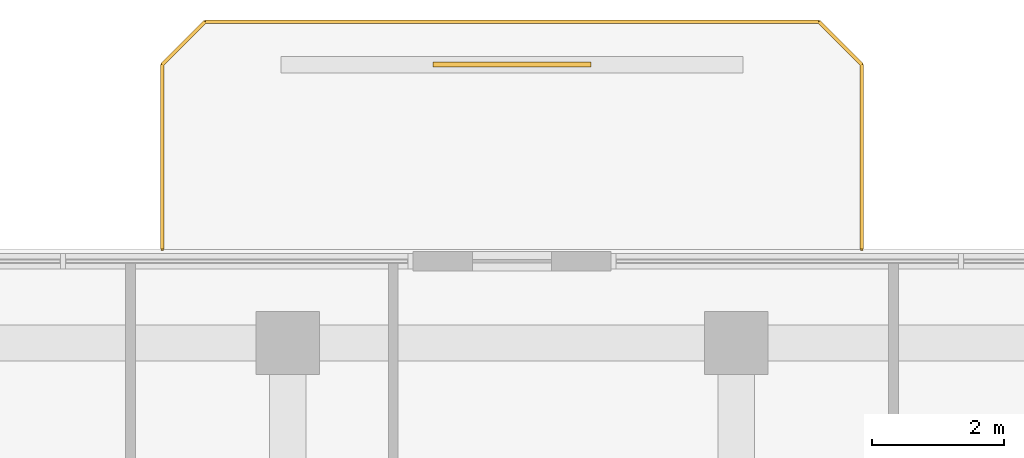
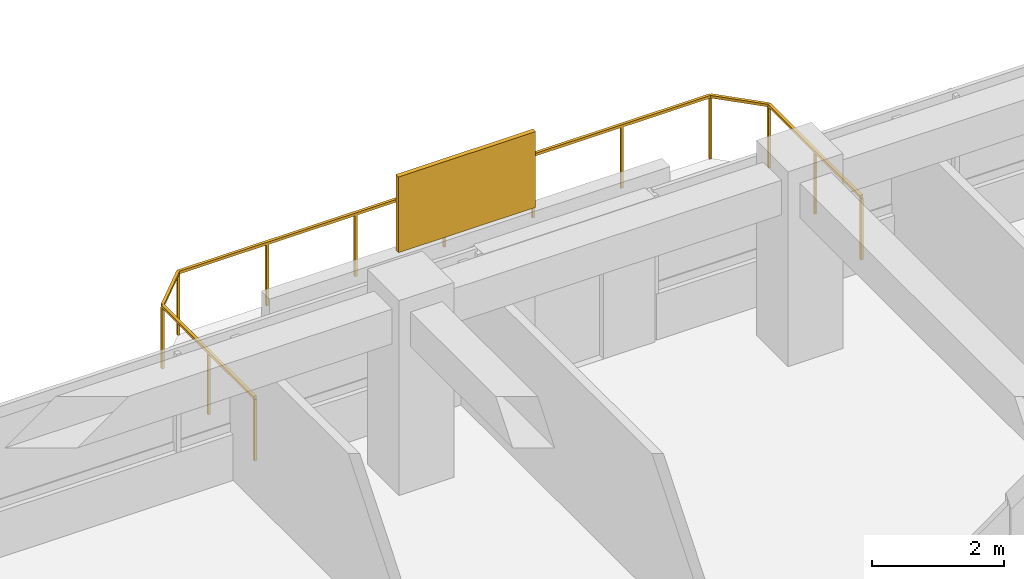
# One storey, part 11 of 11: 1 railing, 1 shading device.
"""IFC4 building model written with IfcOpenShell, lengths in metres."""

from ifc_helpers import new_model, si_unit, derived_unit, direction, frame, origin, origin_2d, place, context, subcontext, project, spatial, rectangle, extrude, material, layer, layer_set, type_object, element, save


model = new_model("IFC4")

# Units and contexts
model_context = context("Model", 3, precision=1e-05, world=origin(), true_north=direction((0.0, 1.0)))
body_context = subcontext(model_context, "Body", "Model", "MODEL_VIEW")
ifc_project = project(units=[si_unit("LENGTHUNIT", "METRE"), si_unit("AREAUNIT", "SQUARE_METRE"), si_unit("VOLUMEUNIT", "CUBIC_METRE"), si_unit("PLANEANGLEUNIT", "RADIAN"), si_unit("MASSUNIT", "GRAM", prefix="KILO"), derived_unit("THERMALTRANSMITTANCEUNIT", [(si_unit("POWERUNIT", "WATT"), 1), (si_unit("LENGTHUNIT", "METRE"), -2), (si_unit("THERMODYNAMICTEMPERATUREUNIT", "KELVIN"), -1)])], contexts=[model_context])

# Site, building, storey
site_placement = place(None, origin())
site = spatial("IfcSite", under=ifc_project, at=site_placement, CompositionType="ELEMENT")
building_placement = place(site_placement, origin())
building = spatial("IfcBuilding", under=site, at=building_placement, Name="Koralith Skygarden Medical Center", CompositionType="ELEMENT")
storey_placement = place(building_placement, frame((0.0, 0.0, 167.219970703125)))
storey = spatial("IfcBuildingStorey", under=building, at=storey_placement, Name="L43", CompositionType="ELEMENT", Elevation=167.219970703125)

# Railing
ifc_material_1 = material(Name="Steel ASTM A500 Grade C", Category="steel")
railing_type = type_object("IfcRailingType", Name="Outdoor Terrace & Balcony Safety Guardrail 1180", PredefinedType="GUARDRAIL", material=ifc_material_1)
railing_placement = place(storey_placement, frame((42.300048828125, 47.300048828125, 0.0)))
element("IfcRailing", 1, at=railing_placement, inside=storey, type_object=railing_type, Name="L43 N Balcony Perimeter Guardrail", PredefinedType="GUARDRAIL", context=body_context, shape_type="SweptSolid", body=[
    extrude(rectangle(XDim=0.050048828125, YDim=0.050048828125, at=origin_2d()), frame((0.0, 0.001953125, 1.15478515625), z_axis=(0.0, 1.0, 0.0), x_axis=(-1.0, 0.0, 0.0)), (0.0, 0.0, 1.0), 2.796142578125),
    extrude(rectangle(XDim=0.050048828125, YDim=0.050048828125, at=origin_2d()), frame((-0.00146484375, 2.801513671875, 1.15478515625), z_axis=(-0.707239558722, 0.706973978714, 0.0), x_axis=(-0.706973978714, -0.707239558722, 0.0)), (0.0, 0.0, 1.0), 0.915283203125),
    extrude(rectangle(XDim=0.050048828125, YDim=0.050048828125, at=origin_2d()), frame((-0.652099609375, 3.449951171875, 1.15478515625), z_axis=(-1.0, 0.0, 0.0), x_axis=(0.0, -1.0, 0.0)), (0.0, 0.0, 1.0), 9.2958984375),
    extrude(rectangle(XDim=0.050048828125, YDim=0.050048828125, at=origin_2d()), frame((-9.951416015625, 3.448486328125, 1.15478515625), z_axis=(-0.707239558722, -0.706973978714, 0.0), x_axis=(0.706973978714, -0.707239558722, 0.0)), (0.0, 0.0, 1.0), 0.915283203125),
    extrude(rectangle(XDim=0.050048828125, YDim=0.050048828125, at=origin_2d()), frame((-10.60009765625, 2.798095703125, 1.15478515625), z_axis=(0.0, -1.0, 0.0), x_axis=(1.0, 0.0, 0.0)), (0.0, 0.0, 1.0), 2.796142578125),
    extrude(rectangle(XDim=0.0419921875, YDim=0.0419921875, at=origin_2d()), origin(), (0.0, 0.0, 1.0), 1.1279296875),
    extrude(rectangle(XDim=0.0419921875, YDim=0.0419921875, at=origin_2d()), frame((0.0, 1.39990234375, 0.0)), (0.0, 0.0, 1.0), 1.1279296875),
    extrude(rectangle(XDim=0.0419921875, YDim=0.0419921875, at=origin_2d()), frame((0.0, 2.800048828125, 0.0)), (0.0, 0.0, 1.0), 1.1279296875),
    extrude(rectangle(XDim=0.0419921875, YDim=0.0419921875, at=origin_2d()), frame((-0.650146484375, 3.449951171875, 0.0)), (0.0, 0.0, 1.0), 1.1279296875),
    extrude(rectangle(XDim=0.0419921875, YDim=0.0419921875, at=origin_2d()), frame((-2.2001953125, 3.449951171875, 0.0)), (0.0, 0.0, 1.0), 1.1279296875),
    extrude(rectangle(XDim=0.0419921875, YDim=0.0419921875, at=origin_2d()), frame((-3.75, 3.449951171875, 0.0)), (0.0, 0.0, 1.0), 1.1279296875),
    extrude(rectangle(XDim=0.0419921875, YDim=0.0419921875, at=origin_2d()), frame((-5.300048828125, 3.449951171875, 0.0)), (0.0, 0.0, 1.0), 1.1279296875),
    extrude(rectangle(XDim=0.0419921875, YDim=0.0419921875, at=origin_2d()), frame((-6.85009765625, 3.449951171875, 0.0)), (0.0, 0.0, 1.0), 1.1279296875),
    extrude(rectangle(XDim=0.0419921875, YDim=0.0419921875, at=origin_2d()), frame((-8.39990234375, 3.449951171875, 0.0)), (0.0, 0.0, 1.0), 1.1279296875),
    extrude(rectangle(XDim=0.0419921875, YDim=0.0419921875, at=origin_2d()), frame((-9.949951171875, 3.449951171875, 0.0)), (0.0, 0.0, 1.0), 1.1279296875),
    extrude(rectangle(XDim=0.0419921875, YDim=0.0419921875, at=origin_2d()), frame((-10.60009765625, 2.800048828125, 0.0)), (0.0, 0.0, 1.0), 1.1279296875),
    extrude(rectangle(XDim=0.0419921875, YDim=0.0419921875, at=origin_2d()), frame((-10.60009765625, 1.39990234375, 0.0)), (0.0, 0.0, 1.0), 1.1279296875),
    extrude(rectangle(XDim=0.0419921875, YDim=0.0419921875, at=origin_2d()), frame((-10.60009765625, 0.0, 0.0)), (0.0, 0.0, 1.0), 1.1279296875),
])

# Shading device
ifc_material_2 = material(Name="Aluminium 6063-T6", Category="aluminium")
ifc_layer = layer(ifc_material_2, 0.080078125)
ifc_layer_set = layer_set([ifc_layer], Name="Aluminium 6063-T6")
shading_device_type = type_object("IfcShadingDeviceType", Name="Perforated Biophilic Balcony Trellis Screen", PredefinedType="USERDEFINED", material=ifc_layer_set)
shading_device_placement = place(storey_placement, frame((37.0, 50.10009765625, 0.719970703125), z_axis=(0.0, 0.0, 1.0), x_axis=(1.0, 0.0, 0.0)))
element("IfcShadingDevice", 2, at=shading_device_placement, inside=storey, type_object=shading_device_type, Name="L43 N Biophilic Balcony Trellis Screen", ObjectType="HURRICANE SCREEN", PredefinedType="USERDEFINED", context=body_context, shape_type="SweptSolid", body=[
    extrude(rectangle(XDim=2.39990234375, YDim=0.080078125, at=origin_2d()), origin(), (0.0, 0.0, 1.0), 1.39990234375),
])

save(model, "model.ifc")
